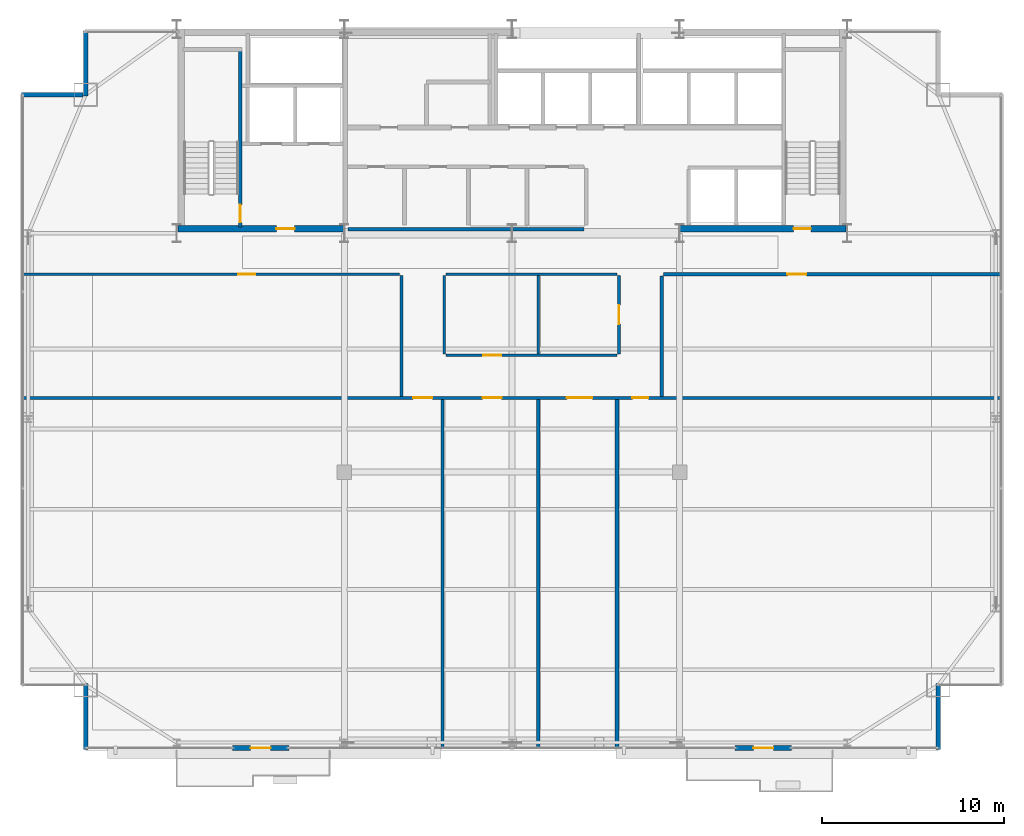
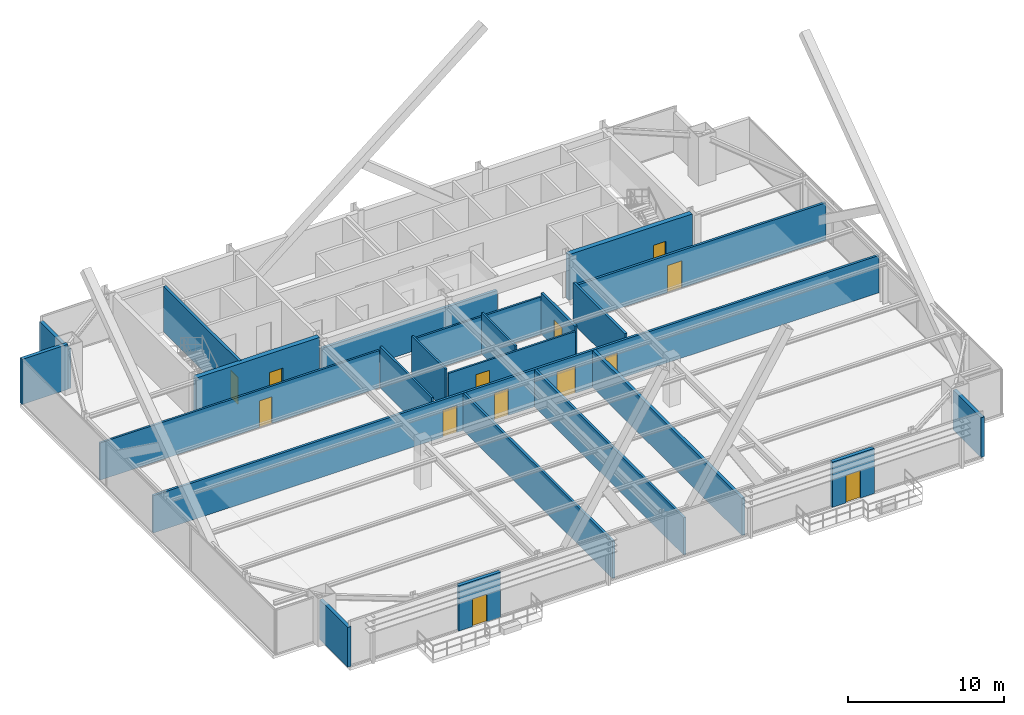
# One storey, part 30 of 34: 23 walls, 13 doors, 13 openings.
"""IFC4 building model written with IfcOpenShell, lengths in metres."""

from ifc_helpers import new_model, si_unit, direction, frame, frame_2d, origin, place, context, subcontext, project, spatial, rectangle, extrude, source, transform, mapped, material, layer, layer_set, type_object, type_shapes, element, fill, save


model = new_model("IFC4")

# Units and contexts
model_context = context("Model", 3, precision=1e-05, world=origin(), true_north=direction((0.0, 1.0)))
body_context = subcontext(model_context, "Body", "Model", "MODEL_VIEW")
ifc_project = project(units=[si_unit("LENGTHUNIT", "METRE"), si_unit("AREAUNIT", "SQUARE_METRE"), si_unit("VOLUMEUNIT", "CUBIC_METRE"), si_unit("PLANEANGLEUNIT", "RADIAN"), si_unit("MASSUNIT", "GRAM", prefix="KILO")], contexts=[model_context])

# Site, building, storey
site_placement = place(None, origin())
site = spatial("IfcSite", under=ifc_project, at=site_placement, CompositionType="ELEMENT")
building_placement = place(site_placement, origin())
building = spatial("IfcBuilding", under=site, at=building_placement, Name="Varnel Quay Broadcast Tower", CompositionType="ELEMENT")
storey_placement = place(building_placement, frame((0.0, 0.0, 161.0)))
storey = spatial("IfcBuildingStorey", under=building, at=storey_placement, Name="L39", CompositionType="ELEMENT", Elevation=161.0)

# Wall, opening, door
ifc_material_1 = material(Name="Concrete CSA A23.3 C50/60", Category="concrete")
ifc_layer_1 = layer(ifc_material_1, 0.199951171875, Name="Concrete CSA A23.3 C50/60")
ifc_layer_set_1 = layer_set([ifc_layer_1], Name="Concrete CSA A23.3 C50/60")
wall_type_1 = type_object("IfcWallType", Name="Wall_CoreShaftShear200", PredefinedType="SHEAR", material=ifc_layer_set_1)
wall_1_placement = place(storey_placement, frame((19.080078125, 35.949951171875, 0.0), z_axis=(0.0, 0.0, 1.0), x_axis=(0.0, 1.0, 0.0)))
wall_1 = element("IfcWall", 1, at=wall_1_placement, inside=storey, type_object=wall_type_1, Name="L39 Stair 1 East Structural Wall", PredefinedType="SHEAR", context=body_context, shape_type="SweptSolid", body=[
    extrude(rectangle(XDim=9.650146484375, YDim=0.199951171875, at=frame_2d((4.8251953125, 0.0))), origin(), (0.0, 0.0, 1.0), 3.550048828125),
])
opening_1_placement = place(wall_1_placement, frame((0.25, 0.0, 0.0)))
opening_1 = element("IfcOpeningElement", 2, at=opening_1_placement, cuts=wall_1, Name="Opening D-L39-S1", PredefinedType="OPENING", context=body_context, shape_type="SweptSolid", body=[
    extrude(rectangle(XDim=0.949951171875, YDim=2.10009765625, at=frame_2d((0.47509765625, 1.050048828125))), frame((0.0, 0.10986328125, 0.0), z_axis=(0.0, -1.0, 0.0), x_axis=(1.0, 0.0, 0.0)), (0.0, 0.0, 1.0), 0.219970703125),
])
ifc_material_2 = material(Name="Insulated Fire-Rated Hollow Steel Door", Category="steel")
door_type_1 = type_object("IfcDoorType", Name="Door_FireStair950", OperationType="NOTDEFINED", PredefinedType="DOOR", material=ifc_material_2)
shared_shape_1 = source(origin(), body_context, "Body", "SweptSolid", [
    extrude(rectangle(XDim=0.949951171875, YDim=2.10009765625, at=frame_2d((0.47509765625, 1.050048828125))), frame((0.0, 0.02490234375, 0.0), z_axis=(0.0, -1.0, 0.0), x_axis=(1.0, 0.0, 0.0)), (0.0, 0.0, 1.0), 0.050048828125),
])
type_shapes(door_type_1, [shared_shape_1])
door_1_placement = place(opening_1_placement, origin())
door_1 = element("IfcDoor", 3, at=door_1_placement, inside=storey, type_object=door_type_1, Name="L39 Stair 1 Fire Door", OperationType="SINGLE_SWING_RIGHT", OverallHeight=2.10009765625, OverallWidth=0.949951171875, PredefinedType="DOOR", context=body_context, shape_type="MappedRepresentation", body=[
    mapped(shared_shape_1, transform((0.0, 0.0, 0.0), x_axis=(1.0, 0.0, 0.0), y_axis=(0.0, 1.0, 0.0), z_axis=(0.0, 0.0, 1.0), scale=1.0)),
])
fill(opening_1, door_1)

ifc_layer_2 = layer(ifc_material_1, 0.35009765625, Name="Concrete CSA A23.3 C50/60")
ifc_layer_set_2 = layer_set([ifc_layer_2], Name="Concrete CSA A23.3 C50/60")
wall_type_2 = type_object("IfcWallType", Name="Wall_CoreShearInt350", PredefinedType="SHEAR", material=ifc_layer_set_2)
wall_2_placement = place(storey_placement, frame((15.669921875, 35.844970703125, 0.0), z_axis=(0.0, 0.0, 1.0), x_axis=(1.0, 0.0, 0.0)))
wall_2 = element("IfcWall", 4, at=wall_2_placement, inside=storey, type_object=wall_type_2, Name="L39 South-West Core Shear Wall", PredefinedType="SHEAR", context=body_context, shape_type="SweptSolid", body=[
    extrude(rectangle(XDim=9.130126953125, YDim=0.35009765625, at=frame_2d((4.56494140625, 0.0))), origin(), (0.0, 0.0, 1.0), 3.550048828125),
])
opening_2_placement = place(wall_2_placement, frame((5.39990234375, 0.0, 0.0)))
opening_2 = element("IfcOpeningElement", 5, at=opening_2_placement, cuts=wall_2, Name="Opening D-L39-FFL", PredefinedType="OPENING", context=body_context, shape_type="SweptSolid", body=[
    extrude(rectangle(XDim=1.0, YDim=2.10009765625, at=frame_2d((0.5, 1.050048828125))), frame((0.0, 0.18505859375, 0.0), z_axis=(0.0, -1.0, 0.0), x_axis=(1.0, 0.0, 0.0)), (0.0, 0.0, 1.0), 0.3701171875),
])
door_type_2 = type_object("IfcDoorType", Name="Door_FireLobby1000", OperationType="NOTDEFINED", PredefinedType="DOOR", material=ifc_material_2)
shared_shape_2 = source(origin(), body_context, "Body", "SweptSolid", [
    extrude(rectangle(XDim=1.0, YDim=2.10009765625, at=frame_2d((0.5, 1.050048828125))), frame((0.0, 0.02490234375, 0.0), z_axis=(0.0, -1.0, 0.0), x_axis=(1.0, 0.0, 0.0)), (0.0, 0.0, 1.0), 0.050048828125),
])
type_shapes(door_type_2, [shared_shape_2])
door_2_placement = place(opening_2_placement, origin())
door_2 = element("IfcDoor", 6, at=door_2_placement, inside=storey, type_object=door_type_2, Name="L39 Firefighting Lobby Door", OperationType="SINGLE_SWING_LEFT", OverallHeight=2.10009765625, OverallWidth=1.0, PredefinedType="DOOR", context=body_context, shape_type="MappedRepresentation", body=[
    mapped(shared_shape_2, transform((0.0, 0.0, 0.0), x_axis=(1.0, 0.0, 0.0), y_axis=(0.0, 1.0, 0.0), z_axis=(0.0, 0.0, 1.0), scale=1.0)),
])
fill(opening_2, door_2)

wall_3_placement = place(storey_placement, frame((43.199951171875, 35.844970703125, 0.0), z_axis=(0.0, 0.0, 1.0), x_axis=(1.0, 0.0, 0.0)))
wall_3 = element("IfcWall", 7, at=wall_3_placement, inside=storey, type_object=wall_type_2, Name="L39 South-East Core Shear Wall", PredefinedType="SHEAR", context=body_context, shape_type="SweptSolid", body=[
    extrude(rectangle(XDim=9.130126953125, YDim=0.35009765625, at=frame_2d((4.56494140625, 0.0))), origin(), (0.0, 0.0, 1.0), 3.550048828125),
])
opening_3_placement = place(wall_3_placement, frame((6.25, 0.0, 0.0)))
opening_3 = element("IfcOpeningElement", 8, at=opening_3_placement, cuts=wall_3, Name="Opening D-L39-S2", PredefinedType="OPENING", context=body_context, shape_type="SweptSolid", body=[
    extrude(rectangle(XDim=0.949951171875, YDim=2.10009765625, at=frame_2d((0.47509765625, 1.050048828125))), frame((0.0, 0.18505859375, 0.0), z_axis=(0.0, -1.0, 0.0), x_axis=(1.0, 0.0, 0.0)), (0.0, 0.0, 1.0), 0.3701171875),
])
door_3_placement = place(opening_3_placement, origin())
door_3 = element("IfcDoor", 9, at=door_3_placement, inside=storey, type_object=door_type_1, Name="L39 Stair 2 Fire Door", OperationType="SINGLE_SWING_RIGHT", OverallHeight=2.10009765625, OverallWidth=0.949951171875, PredefinedType="DOOR", context=body_context, shape_type="MappedRepresentation", body=[
    mapped(shared_shape_1, transform((0.0, 0.0, 0.0), x_axis=(1.0, 0.0, 0.0), y_axis=(0.0, 1.0, 0.0), z_axis=(0.0, 0.0, 1.0), scale=1.0)),
])
fill(opening_3, door_3)

ifc_material_3 = material(Name="Precast Architectural Concrete C40/50", Category="concrete")
ifc_layer_3 = layer(ifc_material_3, 0.25, Name="Precast Architectural Concrete C40/50")
ifc_layer_set_3 = layer_set([ifc_layer_3], Name="Precast Architectural Concrete C40/50")
wall_type_3 = type_object("IfcWallType", Name="Wall_ExtTerrace250", PredefinedType="SOLIDWALL", material=ifc_layer_set_3)
wall_4_placement = place(storey_placement, frame((18.64990234375, 7.35009765625, 0.0), z_axis=(0.0, 0.0, 1.0), x_axis=(1.0, 0.0, 0.0)))
wall_4 = element("IfcWall", 10, at=wall_4_placement, inside=storey, type_object=wall_type_3, Name="L39 Terrace Access Wall 1", PredefinedType="SOLIDWALL", context=body_context, shape_type="SweptSolid", body=[
    extrude(rectangle(XDim=3.10009765625, YDim=0.25, at=frame_2d((1.550048828125, 0.0))), origin(), (0.0, 0.0, 1.0), 3.530029296875),
])
opening_4_placement = place(wall_4_placement, frame((1.0, 0.0, 0.0)))
opening_4 = element("IfcOpeningElement", 11, at=opening_4_placement, cuts=wall_4, Name="Opening TD-391", PredefinedType="OPENING", context=body_context, shape_type="SweptSolid", body=[
    extrude(rectangle(XDim=1.10009765625, YDim=2.14990234375, at=frame_2d((0.550048828125, 1.074951171875))), frame((0.0, 0.135009765625, 0.0), z_axis=(0.0, -1.0, 0.0), x_axis=(1.0, 0.0, 0.0)), (0.0, 0.0, 1.0), 0.27001953125),
])
ifc_material_4 = material(Name="Anodised Bronze Aluminium 6063-T6", Category="aluminium")
door_type_3 = type_object("IfcDoorType", Name="Door_ExtTerrace1100", OperationType="NOTDEFINED", PredefinedType="DOOR", material=ifc_material_4)
shared_shape_3 = source(origin(), body_context, "Body", "SweptSolid", [
    extrude(rectangle(XDim=1.10009765625, YDim=2.14990234375, at=frame_2d((0.550048828125, 1.074951171875))), frame((0.0, 0.02490234375, 0.0), z_axis=(0.0, -1.0, 0.0), x_axis=(1.0, 0.0, 0.0)), (0.0, 0.0, 1.0), 0.050048828125),
])
type_shapes(door_type_3, [shared_shape_3])
door_4_placement = place(opening_4_placement, frame((1.10009765625, 0.0, 0.0), z_axis=(0.0, 0.0, 1.0), x_axis=(-1.0, 0.0, 0.0)))
door_4 = element("IfcDoor", 12, at=door_4_placement, inside=storey, type_object=door_type_3, Name="L39 Terrace Door TD-391", OperationType="SINGLE_SWING_LEFT", OverallHeight=2.14990234375, OverallWidth=1.10009765625, PredefinedType="DOOR", context=body_context, shape_type="MappedRepresentation", body=[
    mapped(shared_shape_3, transform((0.0, 0.0, 0.0), x_axis=(1.0, 0.0, 0.0), y_axis=(0.0, 1.0, 0.0), z_axis=(0.0, 0.0, 1.0), scale=1.0)),
])
fill(opening_4, door_4)

wall_5_placement = place(storey_placement, frame((46.25, 7.35009765625, 0.0), z_axis=(0.0, 0.0, 1.0), x_axis=(1.0, 0.0, 0.0)))
wall_5 = element("IfcWall", 13, at=wall_5_placement, inside=storey, type_object=wall_type_3, Name="L39 Terrace Access Wall 2", PredefinedType="SOLIDWALL", context=body_context, shape_type="SweptSolid", body=[
    extrude(rectangle(XDim=3.10009765625, YDim=0.25, at=frame_2d((1.550048828125, 0.0))), origin(), (0.0, 0.0, 1.0), 3.530029296875),
])
opening_5_placement = place(wall_5_placement, frame((1.0, 0.0, 0.0)))
opening_5 = element("IfcOpeningElement", 14, at=opening_5_placement, cuts=wall_5, Name="Opening TD-392", PredefinedType="OPENING", context=body_context, shape_type="SweptSolid", body=[
    extrude(rectangle(XDim=1.10009765625, YDim=2.14990234375, at=frame_2d((0.550048828125, 1.074951171875))), frame((0.0, 0.135009765625, 0.0), z_axis=(0.0, -1.0, 0.0), x_axis=(1.0, 0.0, 0.0)), (0.0, 0.0, 1.0), 0.27001953125),
])
door_5_placement = place(opening_5_placement, frame((1.10009765625, 0.0, 0.0), z_axis=(0.0, 0.0, 1.0), x_axis=(-1.0, 0.0, 0.0)))
door_5 = element("IfcDoor", 15, at=door_5_placement, inside=storey, type_object=door_type_3, Name="L39 Terrace Door TD-392", OperationType="SINGLE_SWING_RIGHT", OverallHeight=2.14990234375, OverallWidth=1.10009765625, PredefinedType="DOOR", context=body_context, shape_type="MappedRepresentation", body=[
    mapped(shared_shape_3, transform((0.0, 0.0, 0.0), x_axis=(1.0, 0.0, 0.0), y_axis=(0.0, 1.0, 0.0), z_axis=(0.0, 0.0, 1.0), scale=1.0)),
])
fill(opening_5, door_5)

# Walls
for number, where, z_axis, x_axis, name in (
    (16, (10.60009765625, 7.280029296875, 0.0), (0.0, 0.0, 1.0), (0.0, 1.0, 0.0), "L39 Mega-Column Notch Cladding Wall NSW2"),
    (17, (57.39990234375, 7.280029296875, 0.0), (0.0, 0.0, 1.0), (0.0, 1.0, 0.0), "L39 Mega-Column Notch Cladding Wall NSE2"),
):
    element("IfcWall", number, at=place(storey_placement, frame(where, z_axis=z_axis, x_axis=x_axis)), inside=storey, type_object=wall_type_3, Name=name, PredefinedType="SOLIDWALL", context=body_context, shape_type="SweptSolid", body=[
        extrude(rectangle(XDim=3.599853515625, YDim=0.25, at=frame_2d((1.7998046875, 0.0))), origin(), (0.0, 0.0, 1.0), 3.10791015625),
    ])
wall_6_placement = place(storey_placement, frame((7.080078125, 43.199951171875, 0.0), z_axis=(0.0, 0.0, 1.0), x_axis=(1.0, 0.0, 0.0)))
element("IfcWall", 18, at=wall_6_placement, inside=storey, type_object=wall_type_3, Name="L39 Mega-Column Notch Cladding Wall NNW1", PredefinedType="SOLIDWALL", context=body_context, shape_type="SweptSolid", body=[
    extrude(rectangle(XDim=3.389892578125, YDim=0.25, at=frame_2d((1.69482421875, 0.0))), origin(), (0.0, 0.0, 1.0), 3.530029296875),
])
wall_7_placement = place(storey_placement, frame((10.60009765625, 43.1201171875, 0.0), z_axis=(0.0, 0.0, 1.0), x_axis=(0.0, 1.0, 0.0)))
element("IfcWall", 19, at=wall_7_placement, inside=storey, type_object=wall_type_3, Name="L39 Mega-Column Notch Cladding Wall NNW2", PredefinedType="SOLIDWALL", context=body_context, shape_type="SweptSolid", body=[
    extrude(rectangle(XDim=3.599853515625, YDim=0.25, at=frame_2d((1.7998046875, 0.0))), origin(), (0.0, 0.0, 1.0), 3.10791015625),
])
ifc_material_5 = material(Name="Concrete Blockwork Fire Enclosure C40/50", Category="masonry")
ifc_layer_4 = layer(ifc_material_5, 0.199951171875, Name="Concrete Blockwork Fire Enclosure C40/50")
ifc_layer_set_4 = layer_set([ifc_layer_4], Name="Concrete Blockwork Fire Enclosure C40/50")
wall_type_4 = type_object("IfcWallType", Name="Wall_FireShaft200", PredefinedType="SOLIDWALL", material=ifc_layer_set_4)
wall_8_placement = place(storey_placement, frame((25.0, 35.824951171875, 0.0), z_axis=(0.0, 0.0, 1.0), x_axis=(1.0, 0.0, 0.0)))
element("IfcWall", 20, at=wall_8_placement, inside=storey, type_object=wall_type_4, Name="L39 Accessible Universal Washroom Partition 1", PredefinedType="SOLIDWALL", context=body_context, shape_type="SweptSolid", body=[
    extrude(rectangle(XDim=12.949951171875, YDim=0.199951171875, at=frame_2d((6.47509765625, 0.0))), origin(), (0.0, 0.0, 1.0), 2.574951171875),
])

# Wall, opening, door
ifc_material_6 = material(Name="Steel-Stud Fire-Rated Acoustic Gypsum Partition Assembly", Category="steel")
ifc_layer_5 = layer(ifc_material_6, 0.139892578125, Name="Steel-Stud Fire-Rated Acoustic Gypsum Partition Assembly")
ifc_layer_set_5 = layer_set([ifc_layer_5], Name="Steel-Stud Fire-Rated Acoustic Gypsum Partition Assembly")
wall_type_5 = type_object("IfcWallType", Name="Wall_Partition140", PredefinedType="PARTITIONING", material=ifc_layer_set_5)
wall_9_placement = place(storey_placement, frame((30.3798828125, 28.909912109375, 0.0), z_axis=(0.0, 0.0, 1.0), x_axis=(1.0, 0.0, 0.0)))
wall_9 = element("IfcWall", 21, at=wall_9_placement, inside=storey, type_object=wall_type_5, Name="L39 Reading Lounge 6 Partition 13", PredefinedType="PARTITIONING", context=body_context, shape_type="SweptSolid", body=[
    extrude(rectangle(XDim=9.39013671875, YDim=0.139892578125, at=frame_2d((4.695068359375, 0.0))), origin(), (0.0, 0.0, 1.0), 2.908935546875),
])
opening_6_placement = place(wall_9_placement, frame((2.030029296875, 0.0, 0.0)))
opening_6 = element("IfcOpeningElement", 22, at=opening_6_placement, cuts=wall_9, Name="Opening D-L39-10", PredefinedType="OPENING", context=body_context, shape_type="SweptSolid", body=[
    extrude(rectangle(XDim=1.0, YDim=2.10009765625, at=frame_2d((0.5, 1.050048828125))), frame((0.0, 0.080078125, 0.0), z_axis=(0.0, -1.0, 0.0), x_axis=(1.0, 0.0, 0.0)), (0.0, 0.0, 1.0), 0.159912109375),
])
ifc_material_7 = material(Name="Solid-Core Fire-Rated Acoustic Oak Veneer Door", Category="wood")
door_type_4 = type_object("IfcDoorType", Name="Door_Exec1000", OperationType="NOTDEFINED", PredefinedType="DOOR", material=ifc_material_7)
shared_shape_4 = source(origin(), body_context, "Body", "SweptSolid", [
    extrude(rectangle(XDim=1.0, YDim=2.10009765625, at=frame_2d((0.5, 1.050048828125))), frame((0.0, 0.02490234375, 0.0), z_axis=(0.0, -1.0, 0.0), x_axis=(1.0, 0.0, 0.0)), (0.0, 0.0, 1.0), 0.050048828125),
])
type_shapes(door_type_4, [shared_shape_4])
door_6_placement = place(opening_6_placement, origin())
door_6 = element("IfcDoor", 23, at=door_6_placement, inside=storey, type_object=door_type_4, Name="L39 Reading Lounge 6 Door D-L39-10", OperationType="SINGLE_SWING_LEFT", OverallHeight=2.10009765625, OverallWidth=1.0, PredefinedType="DOOR", context=body_context, shape_type="MappedRepresentation", body=[
    mapped(shared_shape_4, transform((0.0, 0.0, 0.0), x_axis=(1.0, 0.0, 0.0), y_axis=(0.0, 1.0, 0.0), z_axis=(0.0, 0.0, 1.0), scale=1.0)),
])
fill(opening_6, door_6)

# Walls
wall_10_placement = place(storey_placement, frame((35.43994140625, 28.97998046875, 0.0), z_axis=(0.0, 0.0, 1.0), x_axis=(0.0, 1.0, 0.0)))
element("IfcWall", 24, at=wall_10_placement, inside=storey, type_object=wall_type_5, Name="L39 Reading Lounge 6 Partition 14", PredefinedType="PARTITIONING", context=body_context, shape_type="SweptSolid", body=[
    extrude(rectangle(XDim=4.300048828125, YDim=0.139892578125, at=frame_2d((2.14990234375, 0.0))), origin(), (0.0, 0.0, 1.0), 3.221923828125),
])
wall_11_placement = place(storey_placement, frame((30.3798828125, 33.35009765625, 0.0), z_axis=(0.0, 0.0, 1.0), x_axis=(1.0, 0.0, 0.0)))
element("IfcWall", 25, at=wall_11_placement, inside=storey, type_object=wall_type_5, Name="L39 Reading Lounge 6 Partition 15", PredefinedType="PARTITIONING", context=body_context, shape_type="SweptSolid", body=[
    extrude(rectangle(XDim=9.39013671875, YDim=0.139892578125, at=frame_2d((4.695068359375, 0.0))), origin(), (0.0, 0.0, 1.0), 2.908935546875),
])
wall_12_placement = place(storey_placement, frame((30.280029296875, 28.97998046875, 0.0), z_axis=(0.0, 0.0, 1.0), x_axis=(0.0, 1.0, 0.0)))
element("IfcWall", 26, at=wall_12_placement, inside=storey, type_object=wall_type_5, Name="L39 Reading Lounge 6 Partition 16", PredefinedType="PARTITIONING", context=body_context, shape_type="SweptSolid", body=[
    extrude(rectangle(XDim=4.300048828125, YDim=0.139892578125, at=frame_2d((2.14990234375, 0.0))), origin(), (0.0, 0.0, 1.0), 3.221923828125),
])
ifc_layer_6 = layer(ifc_material_6, 0.14990234375, Name="Steel-Stud Fire-Rated Acoustic Gypsum Partition Assembly")
ifc_layer_set_6 = layer_set([ifc_layer_6], Name="Steel-Stud Fire-Rated Acoustic Gypsum Partition Assembly")
wall_type_6 = type_object("IfcWallType", Name="Wall_Partition150", PredefinedType="PARTITIONING", material=ifc_layer_set_6)
wall_13_placement = place(storey_placement, frame((27.929931640625, 26.64697265625, 0.0), z_axis=(0.0, 0.0, 1.0), x_axis=(0.0, 1.0, 0.0)))
element("IfcWall", 27, at=wall_13_placement, inside=storey, type_object=wall_type_6, Name="L39 Bureau Office 5 Partition 11", PredefinedType="PARTITIONING", context=body_context, shape_type="SweptSolid", body=[
    extrude(rectangle(XDim=6.6279296875, YDim=0.14990234375, at=frame_2d((3.31396484375, 0.0))), origin(), (0.0, 0.0, 1.0), 3.221923828125),
])

# Wall, opening, door
wall_14_placement = place(storey_placement, frame((7.179931640625, 33.35009765625, 0.0), z_axis=(0.0, 0.0, 1.0), x_axis=(1.0, 0.0, 0.0)))
wall_14 = element("IfcWall", 28, at=wall_14_placement, inside=storey, type_object=wall_type_6, Name="L39 Bureau Office 5 Partition 12", PredefinedType="PARTITIONING", context=body_context, shape_type="SweptSolid", body=[
    extrude(rectangle(XDim=20.650146484375, YDim=0.14990234375, at=frame_2d((10.3251953125, 0.0))), origin(), (0.0, 0.0, 1.0), 2.908935546875),
])
opening_7_placement = place(wall_14_placement, frame((11.800048828125, 0.0, 0.0)))
opening_7 = element("IfcOpeningElement", 29, at=opening_7_placement, cuts=wall_14, Name="Opening D-L39-09", PredefinedType="OPENING", context=body_context, shape_type="SweptSolid", body=[
    extrude(rectangle(XDim=0.919921875, YDim=2.080078125, at=frame_2d((0.4599609375, 1.0400390625))), frame((0.0, 0.0849609375, 0.0), z_axis=(0.0, -1.0, 0.0), x_axis=(1.0, 0.0, 0.0)), (0.0, 0.0, 1.0), 0.169921875),
])
door_type_5 = type_object("IfcDoorType", Name="Door_Office920", OperationType="NOTDEFINED", PredefinedType="DOOR", material=ifc_material_7)
shared_shape_5 = source(origin(), body_context, "Body", "SweptSolid", [
    extrude(rectangle(XDim=0.919921875, YDim=2.080078125, at=frame_2d((0.4599609375, 1.0400390625))), frame((0.0, 0.02490234375, 0.0), z_axis=(0.0, -1.0, 0.0), x_axis=(1.0, 0.0, 0.0)), (0.0, 0.0, 1.0), 0.050048828125),
])
type_shapes(door_type_5, [shared_shape_5])
door_7_placement = place(opening_7_placement, frame((0.919921875, 0.0, 0.0), z_axis=(0.0, 0.0, 1.0), x_axis=(-1.0, 0.0, 0.0)))
door_7 = element("IfcDoor", 30, at=door_7_placement, inside=storey, type_object=door_type_5, Name="L39 Bureau Office 5 Door D-L39-09", OperationType="SINGLE_SWING_RIGHT", OverallHeight=2.080078125, OverallWidth=0.919921875, PredefinedType="DOOR", context=body_context, shape_type="MappedRepresentation", body=[
    mapped(shared_shape_5, transform((0.0, 0.0, 0.0), x_axis=(1.0, 0.0, 0.0), y_axis=(0.0, 1.0, 0.0), z_axis=(0.0, 0.0, 1.0), scale=1.0)),
])
fill(opening_7, door_7)

# Wall
ifc_layer_7 = layer(ifc_material_6, 0.175048828125, Name="Steel-Stud Fire-Rated Acoustic Gypsum Partition Assembly")
ifc_layer_set_7 = layer_set([ifc_layer_7], Name="Steel-Stud Fire-Rated Acoustic Gypsum Partition Assembly")
wall_type_7 = type_object("IfcWallType", Name="Wall_Partition175", PredefinedType="PARTITIONING", material=ifc_layer_set_7)
wall_15_placement = place(storey_placement, frame((30.179931640625, 7.3798828125, 0.0), z_axis=(0.0, 0.0, 1.0), x_axis=(0.0, 1.0, 0.0)))
element("IfcWall", 31, at=wall_15_placement, inside=storey, type_object=wall_type_7, Name="L39 Press Briefing Room 1 Partition 7", PredefinedType="PARTITIONING", context=body_context, shape_type="SweptSolid", body=[
    extrude(rectangle(XDim=19.093017578125, YDim=0.175048828125, at=frame_2d((9.54638671875, 0.0))), origin(), (0.0, 0.0, 1.0), 2.908935546875),
])

# Wall, openings, doors
wall_16_placement = place(storey_placement, frame((7.179931640625, 26.56005859375, 0.0), z_axis=(0.0, 0.0, 1.0), x_axis=(1.0, 0.0, 0.0)))
wall_16 = element("IfcWall", 32, at=wall_16_placement, inside=storey, type_object=wall_type_7, Name="L39 Press Briefing Room 1 Partition 8", PredefinedType="PARTITIONING", context=body_context, shape_type="SweptSolid", body=[
    extrude(rectangle(XDim=53.64013671875, YDim=0.175048828125, at=frame_2d((26.820068359375, 0.0))), origin(), (0.0, 0.0, 1.0), 2.908935546875),
])
opening_8_placement = place(wall_16_placement, frame((21.39990234375, 0.0, 0.0)))
opening_8 = element("IfcOpeningElement", 33, at=opening_8_placement, cuts=wall_16, Name="Opening D-L39-05", PredefinedType="OPENING", context=body_context, shape_type="SweptSolid", body=[
    extrude(rectangle(XDim=1.050048828125, YDim=2.10009765625, at=frame_2d((0.52490234375, 1.050048828125))), frame((0.0, 0.09765625, 0.0), z_axis=(0.0, -1.0, 0.0), x_axis=(1.0, 0.0, 0.0)), (0.0, 0.0, 1.0), 0.195068359375),
])
opening_9_placement = place(wall_16_placement, frame((25.205078125, 0.0, 0.0)))
opening_9 = element("IfcOpeningElement", 34, at=opening_9_placement, cuts=wall_16, Name="Opening D-L39-06", PredefinedType="OPENING", context=body_context, shape_type="SweptSolid", body=[
    extrude(rectangle(XDim=1.050048828125, YDim=2.10009765625, at=frame_2d((0.52490234375, 1.050048828125))), frame((0.0, 0.09765625, 0.0), z_axis=(0.0, -1.0, 0.0), x_axis=(1.0, 0.0, 0.0)), (0.0, 0.0, 1.0), 0.195068359375),
])
opening_10_placement = place(wall_16_placement, frame((29.824951171875, 0.0, 0.0)))
opening_10 = element("IfcOpeningElement", 35, at=opening_10_placement, cuts=wall_16, Name="Opening D-L39-07", PredefinedType="OPENING", context=body_context, shape_type="SweptSolid", body=[
    extrude(rectangle(XDim=1.39990234375, YDim=2.1201171875, at=frame_2d((0.699951171875, 1.06005859375))), frame((0.0, 0.09765625, 0.0), z_axis=(0.0, -1.0, 0.0), x_axis=(1.0, 0.0, 0.0)), (0.0, 0.0, 1.0), 0.195068359375),
])
opening_11_placement = place(wall_16_placement, frame((33.425048828125, 0.0, 0.0)))
opening_11 = element("IfcOpeningElement", 36, at=opening_11_placement, cuts=wall_16, Name="Opening D-L39-08", PredefinedType="OPENING", context=body_context, shape_type="SweptSolid", body=[
    extrude(rectangle(XDim=0.8798828125, YDim=2.06005859375, at=frame_2d((0.43994140625, 1.030029296875))), frame((0.0, 0.09765625, 0.0), z_axis=(0.0, -1.0, 0.0), x_axis=(1.0, 0.0, 0.0)), (0.0, 0.0, 1.0), 0.195068359375),
])
door_type_6 = type_object("IfcDoorType", Name="Door_Booth880", OperationType="NOTDEFINED", PredefinedType="DOOR", material=ifc_material_7)
shared_shape_6 = source(origin(), body_context, "Body", "SweptSolid", [
    extrude(rectangle(XDim=0.8798828125, YDim=2.06005859375, at=frame_2d((0.43994140625, 1.030029296875))), frame((0.0, 0.02490234375, 0.0), z_axis=(0.0, -1.0, 0.0), x_axis=(1.0, 0.0, 0.0)), (0.0, 0.0, 1.0), 0.050048828125),
])
type_shapes(door_type_6, [shared_shape_6])
door_8_placement = place(opening_11_placement, frame((0.8798828125, 0.0, 0.0), z_axis=(0.0, 0.0, 1.0), x_axis=(-1.0, 0.0, 0.0)))
door_8 = element("IfcDoor", 37, at=door_8_placement, inside=storey, type_object=door_type_6, Name="L39 Catering Kitchen 4 Door D-L39-08", OperationType="SINGLE_SWING_LEFT", OverallHeight=2.06005859375, OverallWidth=0.8798828125, PredefinedType="DOOR", context=body_context, shape_type="MappedRepresentation", body=[
    mapped(shared_shape_6, transform((0.0, 0.0, 0.0), x_axis=(1.0, 0.0, 0.0), y_axis=(0.0, 1.0, 0.0), z_axis=(0.0, 0.0, 1.0), scale=1.0)),
])
fill(opening_11, door_8)
door_type_7 = type_object("IfcDoorType", Name="Door_Meeting1050", OperationType="NOTDEFINED", PredefinedType="DOOR", material=ifc_material_7)
shared_shape_7 = source(origin(), body_context, "Body", "SweptSolid", [
    extrude(rectangle(XDim=1.050048828125, YDim=2.10009765625, at=frame_2d((0.52490234375, 1.050048828125))), frame((0.0, 0.02490234375, 0.0), z_axis=(0.0, -1.0, 0.0), x_axis=(1.0, 0.0, 0.0)), (0.0, 0.0, 1.0), 0.050048828125),
])
type_shapes(door_type_7, [shared_shape_7])
door_9_placement = place(opening_8_placement, frame((1.050048828125, 0.0, 0.0), z_axis=(0.0, 0.0, 1.0), x_axis=(-1.0, 0.0, 0.0)))
door_9 = element("IfcDoor", 38, at=door_9_placement, inside=storey, type_object=door_type_7, Name="L39 Press Briefing Room 1 Door D-L39-05", OperationType="SINGLE_SWING_LEFT", OverallHeight=2.10009765625, OverallWidth=1.050048828125, PredefinedType="DOOR", context=body_context, shape_type="MappedRepresentation", body=[
    mapped(shared_shape_7, transform((0.0, 0.0, 0.0), x_axis=(1.0, 0.0, 0.0), y_axis=(0.0, 1.0, 0.0), z_axis=(0.0, 0.0, 1.0), scale=1.0)),
])
fill(opening_8, door_9)
door_10_placement = place(opening_9_placement, frame((1.050048828125, 0.0, 0.0), z_axis=(0.0, 0.0, 1.0), x_axis=(-1.0, 0.0, 0.0)))
door_10 = element("IfcDoor", 39, at=door_10_placement, inside=storey, type_object=door_type_7, Name="L39 Editorial Huddle Room 2 Door D-L39-06", OperationType="SINGLE_SWING_RIGHT", OverallHeight=2.10009765625, OverallWidth=1.050048828125, PredefinedType="DOOR", context=body_context, shape_type="MappedRepresentation", body=[
    mapped(shared_shape_7, transform((0.0, 0.0, 0.0), x_axis=(1.0, 0.0, 0.0), y_axis=(0.0, 1.0, 0.0), z_axis=(0.0, 0.0, 1.0), scale=1.0)),
])
fill(opening_9, door_10)
door_type_8 = type_object("IfcDoorType", Name="Door_Gallery1400", OperationType="DOUBLE_DOOR_SINGLE_SWING", PredefinedType="DOOR", material=ifc_material_7)
shared_shape_8 = source(origin(), body_context, "Body", "SweptSolid", [
    extrude(rectangle(XDim=1.39990234375, YDim=2.1201171875, at=frame_2d((0.699951171875, 1.06005859375))), frame((0.0, 0.02490234375, 0.0), z_axis=(0.0, -1.0, 0.0), x_axis=(1.0, 0.0, 0.0)), (0.0, 0.0, 1.0), 0.050048828125),
])
type_shapes(door_type_8, [shared_shape_8])
door_11_placement = place(opening_10_placement, frame((1.39990234375, 0.0, 0.0), z_axis=(0.0, 0.0, 1.0), x_axis=(-1.0, 0.0, 0.0)))
door_11 = element("IfcDoor", 40, at=door_11_placement, inside=storey, type_object=door_type_8, Name="L39 Journalism Training Studio 3 Door D-L39-07", OperationType="DOUBLE_DOOR_SINGLE_SWING", OverallHeight=2.1201171875, OverallWidth=1.39990234375, PredefinedType="DOOR", context=body_context, shape_type="MappedRepresentation", body=[
    mapped(shared_shape_8, transform((0.0, 0.0, 0.0), x_axis=(1.0, 0.0, 0.0), y_axis=(0.0, 1.0, 0.0), z_axis=(0.0, 0.0, 1.0), scale=1.0)),
])
fill(opening_10, door_11)

# Wall
wall_17_placement = place(storey_placement, frame((35.43994140625, 7.3798828125, 0.0), z_axis=(0.0, 0.0, 1.0), x_axis=(0.0, 1.0, 0.0)))
element("IfcWall", 41, at=wall_17_placement, inside=storey, type_object=wall_type_7, Name="L39 Editorial Huddle Room 2 Partition 9", PredefinedType="PARTITIONING", context=body_context, shape_type="SweptSolid", body=[
    extrude(rectangle(XDim=19.093017578125, YDim=0.175048828125, at=frame_2d((9.54638671875, 0.0))), origin(), (0.0, 0.0, 1.0), 2.908935546875),
])

# Wall, opening, door
wall_18_placement = place(storey_placement, frame((39.8701171875, 28.97998046875, 0.0), z_axis=(0.0, 0.0, 1.0), x_axis=(0.0, 1.0, 0.0)))
wall_18 = element("IfcWall", 42, at=wall_18_placement, inside=storey, type_object=wall_type_7, Name="L39 Broadcast Seminar Room 7 Partition 17", PredefinedType="PARTITIONING", context=body_context, shape_type="SweptSolid", body=[
    extrude(rectangle(XDim=4.300048828125, YDim=0.175048828125, at=frame_2d((2.14990234375, 0.0))), origin(), (0.0, 0.0, 1.0), 3.221923828125),
])
opening_12_placement = place(wall_18_placement, frame((1.625, 0.0, 0.0)))
opening_12 = element("IfcOpeningElement", 43, at=opening_12_placement, cuts=wall_18, Name="Opening D-L39-11", PredefinedType="OPENING", context=body_context, shape_type="SweptSolid", body=[
    extrude(rectangle(XDim=1.050048828125, YDim=2.10009765625, at=frame_2d((0.52490234375, 1.050048828125))), frame((0.0, 0.09765625, 0.0), z_axis=(0.0, -1.0, 0.0), x_axis=(1.0, 0.0, 0.0)), (0.0, 0.0, 1.0), 0.195068359375),
])
door_12_placement = place(opening_12_placement, origin())
door_12 = element("IfcDoor", 44, at=door_12_placement, inside=storey, type_object=door_type_7, Name="L39 Broadcast Seminar Room 7 Door D-L39-11", OperationType="SINGLE_SWING_RIGHT", OverallHeight=2.10009765625, OverallWidth=1.050048828125, PredefinedType="DOOR", context=body_context, shape_type="MappedRepresentation", body=[
    mapped(shared_shape_7, transform((0.0, 0.0, 0.0), x_axis=(1.0, 0.0, 0.0), y_axis=(0.0, 1.0, 0.0), z_axis=(0.0, 0.0, 1.0), scale=1.0)),
])
fill(opening_12, door_12)

wall_19_placement = place(storey_placement, frame((42.320068359375, 33.35009765625, 0.0), z_axis=(0.0, 0.0, 1.0), x_axis=(1.0, 0.0, 0.0)))
wall_19 = element("IfcWall", 45, at=wall_19_placement, inside=storey, type_object=wall_type_7, Name="L39 Press Briefing Room 8 Partition 18", PredefinedType="PARTITIONING", context=body_context, shape_type="SweptSolid", body=[
    extrude(rectangle(XDim=18.5, YDim=0.175048828125, at=frame_2d((9.25, 0.0))), origin(), (0.0, 0.0, 1.0), 2.908935546875),
])
opening_13_placement = place(wall_19_placement, frame((6.7900390625, 0.0, 0.0)))
opening_13 = element("IfcOpeningElement", 46, at=opening_13_placement, cuts=wall_19, Name="Opening D-L39-12", PredefinedType="OPENING", context=body_context, shape_type="SweptSolid", body=[
    extrude(rectangle(XDim=1.050048828125, YDim=2.10009765625, at=frame_2d((0.52490234375, 1.050048828125))), frame((0.0, 0.09765625, 0.0), z_axis=(0.0, -1.0, 0.0), x_axis=(1.0, 0.0, 0.0)), (0.0, 0.0, 1.0), 0.195068359375),
])
door_13_placement = place(opening_13_placement, frame((1.050048828125, 0.0, 0.0), z_axis=(0.0, 0.0, 1.0), x_axis=(-1.0, 0.0, 0.0)))
door_13 = element("IfcDoor", 47, at=door_13_placement, inside=storey, type_object=door_type_7, Name="L39 Press Briefing Room 8 Door D-L39-12", OperationType="SINGLE_SWING_LEFT", OverallHeight=2.10009765625, OverallWidth=1.050048828125, PredefinedType="DOOR", context=body_context, shape_type="MappedRepresentation", body=[
    mapped(shared_shape_7, transform((0.0, 0.0, 0.0), x_axis=(1.0, 0.0, 0.0), y_axis=(0.0, 1.0, 0.0), z_axis=(0.0, 0.0, 1.0), scale=1.0)),
])
fill(opening_13, door_13)

# Walls
wall_20_placement = place(storey_placement, frame((42.219970703125, 26.64697265625, 0.0), z_axis=(0.0, 0.0, 1.0), x_axis=(0.0, 1.0, 0.0)))
element("IfcWall", 48, at=wall_20_placement, inside=storey, type_object=wall_type_7, Name="L39 Press Briefing Room 8 Partition 19", PredefinedType="PARTITIONING", context=body_context, shape_type="SweptSolid", body=[
    extrude(rectangle(XDim=6.615966796875, YDim=0.175048828125, at=frame_2d((3.30810546875, 0.0))), origin(), (0.0, 0.0, 1.0), 3.221923828125),
])
ifc_layer_8 = layer(ifc_material_6, 0.22509765625, Name="Steel-Stud Fire-Rated Acoustic Gypsum Partition Assembly")
ifc_layer_set_8 = layer_set([ifc_layer_8], Name="Steel-Stud Fire-Rated Acoustic Gypsum Partition Assembly")
wall_type_8 = type_object("IfcWallType", Name="Wall_Partition225", PredefinedType="PARTITIONING", material=ifc_layer_set_8)
wall_21_placement = place(storey_placement, frame((39.77001953125, 7.3798828125, 0.0), z_axis=(0.0, 0.0, 1.0), x_axis=(0.0, 1.0, 0.0)))
element("IfcWall", 49, at=wall_21_placement, inside=storey, type_object=wall_type_8, Name="L39 Journalism Training Studio 3 Partition 10", PredefinedType="PARTITIONING", context=body_context, shape_type="SweptSolid", body=[
    extrude(rectangle(XDim=19.093017578125, YDim=0.22509765625, at=frame_2d((9.54638671875, 0.0))), origin(), (0.0, 0.0, 1.0), 2.908935546875),
])

save(model, "model.ifc")
